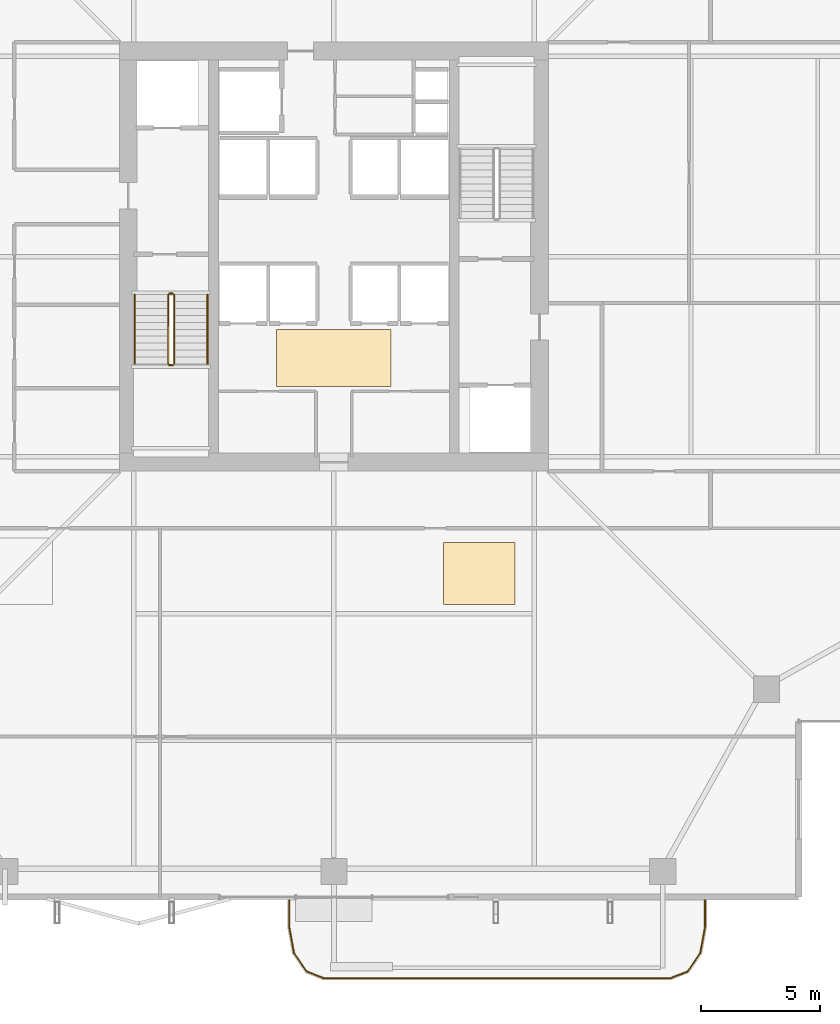
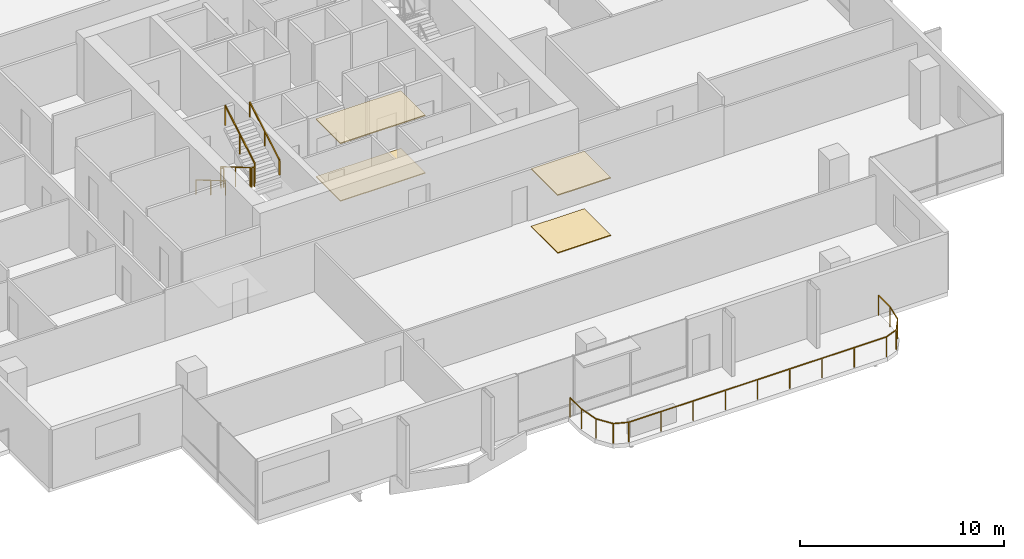
# One storey, part 27 of 29: 7 railings, 4 coverings.
"""IFC4 building model written with IfcOpenShell, lengths in metres."""

from ifc_helpers import new_model, si_unit, direction, frame, origin, origin_2d, place, context, subcontext, project, spatial, polyline, rectangle, outline, extrude, material, layer, layer_set, type_object, element, save


model = new_model("IFC4")

# Units and contexts
model_context = context("Model", 3, precision=1e-05, world=origin(), true_north=direction((0.0, 1.0)))
body_context = subcontext(model_context, "Body", "Model", "MODEL_VIEW")
ifc_project = project(units=[si_unit("LENGTHUNIT", "METRE"), si_unit("AREAUNIT", "SQUARE_METRE"), si_unit("VOLUMEUNIT", "CUBIC_METRE"), si_unit("PLANEANGLEUNIT", "RADIAN"), si_unit("MASSUNIT", "GRAM", prefix="KILO")], contexts=[model_context])

# Site, building, storey
site_placement = place(None, origin())
site = spatial("IfcSite", under=ifc_project, at=site_placement, CompositionType="ELEMENT")
building_placement = place(site_placement, origin())
building = spatial("IfcBuilding", under=site, at=building_placement, Name="Belovzor Exchange Tower", CompositionType="ELEMENT")
storey_placement = place(building_placement, frame((0.0, 0.0, 199.949951171875)))
storey = spatial("IfcBuildingStorey", under=building, at=storey_placement, Name="L49", CompositionType="ELEMENT", Elevation=199.949951171875)

# Railings
ifc_material_1 = material(Name="Stainless Steel Grade 304", Category="steel")
railing_type_1 = type_object("IfcRailingType", Name="Brushed Stainless Steel Stair Handrail 900", PredefinedType="HANDRAIL", material=ifc_material_1)
railing_1_placement = place(storey_placement, frame((20.449951171875, 27.199951171875, 0.17041015625)))
element("IfcRailing", 1, at=railing_1_placement, inside=storey, type_object=railing_type_1, Name="L49 ST-1 stair handrail 1", PredefinedType="HANDRAIL", context=body_context, shape_type="SweptSolid", body=[
    extrude(rectangle(XDim=0.048095703125, YDim=0.048095703125, at=origin_2d()), frame((0.0, 0.0, 0.8759765625), z_axis=(0.0, -0.86209462966, 0.506747323142), x_axis=(1.0, 0.0, 0.0)), (0.0, 0.0, 1.0), 3.36376953125),
    extrude(rectangle(XDim=0.0419921875, YDim=0.0419921875, at=origin_2d()), origin(), (0.0, 0.0, 1.0), 0.851806640625),
    extrude(rectangle(XDim=0.0419921875, YDim=0.0419921875, at=origin_2d()), frame((0.0, -1.449951171875, 0.852294921875)), (0.0, 0.0, 1.0), 0.851806640625),
    extrude(rectangle(XDim=0.0419921875, YDim=0.0419921875, at=origin_2d()), frame((0.0, -2.89990234375, 1.70458984375)), (0.0, 0.0, 1.0), 0.851806640625),
])
railing_2_placement = place(storey_placement, frame((23.5, 24.300048828125, 2.04541015625)))
element("IfcRailing", 2, at=railing_2_placement, inside=storey, type_object=railing_type_1, Name="L49 ST-1 stair handrail 2", PredefinedType="HANDRAIL", context=body_context, shape_type="SweptSolid", body=[
    extrude(rectangle(XDim=0.048095703125, YDim=0.048095703125, at=origin_2d()), frame((0.0, 0.0, 0.8759765625), z_axis=(0.0, 0.86209462966, 0.506747323142), x_axis=(-1.0, 0.0, 0.0)), (0.0, 0.0, 1.0), 3.36376953125),
    extrude(rectangle(XDim=0.0419921875, YDim=0.0419921875, at=origin_2d()), origin(), (0.0, 0.0, 1.0), 0.851806640625),
    extrude(rectangle(XDim=0.0419921875, YDim=0.0419921875, at=origin_2d()), frame((0.0, 1.449951171875, 0.852294921875)), (0.0, 0.0, 1.0), 0.851806640625),
    extrude(rectangle(XDim=0.0419921875, YDim=0.0419921875, at=origin_2d()), frame((0.0, 2.89990234375, 1.70458984375)), (0.0, 0.0, 1.0), 0.851806640625),
])
ifc_material_2 = material(Name="Stainless Steel and Laminated Safety Glass", Category="steel")
railing_type_2 = type_object("IfcRailingType", Name="Laminated Glass & Stainless Steel Balcony Balustrade 1200", PredefinedType="BALUSTRADE", material=ifc_material_2)
railing_3_placement = place(storey_placement, frame((26.929931640625, 1.7900390625, 0.0)))
element("IfcRailing", 3, at=railing_3_placement, inside=storey, type_object=railing_type_2, Name="GR-1 Balcony Balustrade L49 South", PredefinedType="BALUSTRADE", context=body_context, shape_type="SweptSolid", body=[
    extrude(rectangle(XDim=0.048095703125, YDim=0.048095703125, at=origin_2d()), frame((0.0, 0.0, 1.17578125), z_axis=(0.0, -1.0, 0.0), x_axis=(1.0, 0.0, 0.0)), (0.0, 0.0, 1.0), 1.133056640625),
    extrude(rectangle(XDim=0.048095703125, YDim=0.048095703125, at=origin_2d()), frame((0.0, -1.133056640625, 1.17578125), z_axis=(0.180122719713, -0.983644145941, 0.0), x_axis=(0.983644145941, 0.180122719713, 0.0)), (0.0, 0.0, 1.0), 1.09375),
    extrude(rectangle(XDim=0.048095703125, YDim=0.048095703125, at=origin_2d()), frame((0.197021484375, -2.208984375, 1.17578125), z_axis=(0.56294695933, -0.826493025367, 0.0), x_axis=(0.826493025367, 0.56294695933, 0.0)), (0.0, 0.0, 1.0), 0.932861328125),
    extrude(rectangle(XDim=0.048095703125, YDim=0.048095703125, at=origin_2d()), frame((0.72216796875, -2.97998046875, 1.17578125), z_axis=(0.930766990125, -0.365612923861, 0.0), x_axis=(0.365612923861, 0.930766990125, 0.0)), (0.0, 0.0, 1.0), 0.765869140625),
    extrude(rectangle(XDim=0.048095703125, YDim=0.048095703125, at=origin_2d()), frame((1.43505859375, -3.260009765625, 1.17578125), z_axis=(1.0, 0.0, 0.0), x_axis=(0.0, 1.0, 0.0)), (0.0, 0.0, 1.0), 14.570068359375),
    extrude(rectangle(XDim=0.048095703125, YDim=0.048095703125, at=origin_2d()), frame((16.005126953125, -3.260009765625, 1.17578125), z_axis=(0.930766990125, 0.365612923861, 0.0), x_axis=(-0.365612923861, 0.930766990125, 0.0)), (0.0, 0.0, 1.0), 0.765869140625),
    extrude(rectangle(XDim=0.048095703125, YDim=0.048095703125, at=origin_2d()), frame((16.718017578125, -2.97998046875, 1.17578125), z_axis=(0.56294695933, 0.826493025367, 0.0), x_axis=(-0.826493025367, 0.56294695933, 0.0)), (0.0, 0.0, 1.0), 0.932861328125),
    extrude(rectangle(XDim=0.048095703125, YDim=0.048095703125, at=origin_2d()), frame((17.2431640625, -2.208984375, 1.17578125), z_axis=(0.180122719713, 0.983644145941, 0.0), x_axis=(-0.983644145941, 0.180122719713, 0.0)), (0.0, 0.0, 1.0), 1.09375),
    extrude(rectangle(XDim=0.048095703125, YDim=0.048095703125, at=origin_2d()), frame((17.440185546875, -1.133056640625, 1.17578125), z_axis=(0.0, 1.0, 0.0), x_axis=(-1.0, 0.0, 0.0)), (0.0, 0.0, 1.0), 1.133056640625),
    extrude(rectangle(XDim=0.0419921875, YDim=0.0419921875, at=origin_2d()), origin(), (0.0, 0.0, 1.0), 1.15185546875),
    extrude(rectangle(XDim=0.0419921875, YDim=0.0419921875, at=origin_2d()), frame((0.0, -1.133056640625, 0.0)), (0.0, 0.0, 1.0), 1.15185546875),
    extrude(rectangle(XDim=0.0419921875, YDim=0.0419921875, at=origin_2d()), frame((0.197021484375, -2.208984375, 0.0)), (0.0, 0.0, 1.0), 1.15185546875),
    extrude(rectangle(XDim=0.0419921875, YDim=0.0419921875, at=origin_2d()), frame((0.72216796875, -2.97998046875, 0.0)), (0.0, 0.0, 1.0), 1.15185546875),
    extrude(rectangle(XDim=0.0419921875, YDim=0.0419921875, at=origin_2d()), frame((1.43505859375, -3.260009765625, 0.0)), (0.0, 0.0, 1.0), 1.15185546875),
    extrude(rectangle(XDim=0.0419921875, YDim=0.0419921875, at=origin_2d()), frame((3.25634765625, -3.260009765625, 0.0)), (0.0, 0.0, 1.0), 1.15185546875),
    extrude(rectangle(XDim=0.0419921875, YDim=0.0419921875, at=origin_2d()), frame((5.07763671875, -3.260009765625, 0.0)), (0.0, 0.0, 1.0), 1.15185546875),
    extrude(rectangle(XDim=0.0419921875, YDim=0.0419921875, at=origin_2d()), frame((6.89892578125, -3.260009765625, 0.0)), (0.0, 0.0, 1.0), 1.15185546875),
    extrude(rectangle(XDim=0.0419921875, YDim=0.0419921875, at=origin_2d()), frame((8.72021484375, -3.260009765625, 0.0)), (0.0, 0.0, 1.0), 1.15185546875),
    extrude(rectangle(XDim=0.0419921875, YDim=0.0419921875, at=origin_2d()), frame((10.541259765625, -3.260009765625, 0.0)), (0.0, 0.0, 1.0), 1.15185546875),
    extrude(rectangle(XDim=0.0419921875, YDim=0.0419921875, at=origin_2d()), frame((12.362548828125, -3.260009765625, 0.0)), (0.0, 0.0, 1.0), 1.15185546875),
    extrude(rectangle(XDim=0.0419921875, YDim=0.0419921875, at=origin_2d()), frame((14.183837890625, -3.260009765625, 0.0)), (0.0, 0.0, 1.0), 1.15185546875),
    extrude(rectangle(XDim=0.0419921875, YDim=0.0419921875, at=origin_2d()), frame((16.005126953125, -3.260009765625, 0.0)), (0.0, 0.0, 1.0), 1.15185546875),
    extrude(rectangle(XDim=0.0419921875, YDim=0.0419921875, at=origin_2d()), frame((16.718017578125, -2.97998046875, 0.0)), (0.0, 0.0, 1.0), 1.15185546875),
    extrude(rectangle(XDim=0.0419921875, YDim=0.0419921875, at=origin_2d()), frame((17.2431640625, -2.208984375, 0.0)), (0.0, 0.0, 1.0), 1.15185546875),
    extrude(rectangle(XDim=0.0419921875, YDim=0.0419921875, at=origin_2d()), frame((17.440185546875, -1.133056640625, 0.0)), (0.0, 0.0, 1.0), 1.15185546875),
    extrude(rectangle(XDim=0.0419921875, YDim=0.0419921875, at=origin_2d()), frame((17.440185546875, 0.0, 0.0)), (0.0, 0.0, 1.0), 1.15185546875),
])
ifc_material_3 = material(Name="Steel S355", Category="steel")
railing_type_3 = type_object("IfcRailingType", Name="Painted Steel Stairwell Guardrail 1200", PredefinedType="GUARDRAIL", material=ifc_material_3)
railing_4_placement = place(storey_placement, frame((21.85009765625, 27.199951171875, 0.17041015625)))
element("IfcRailing", 4, at=railing_4_placement, inside=storey, type_object=railing_type_3, Name="L49 ST-1 stair guard 1", PredefinedType="GUARDRAIL", context=body_context, shape_type="SweptSolid", body=[
    extrude(rectangle(XDim=0.048095703125, YDim=0.048095703125, at=origin_2d()), frame((0.0, 0.0, 1.17578125), z_axis=(0.0, -0.86209462966, 0.506747323142), x_axis=(1.0, 0.0, 0.0)), (0.0, 0.0, 1.0), 3.36376953125),
    extrude(rectangle(XDim=0.0419921875, YDim=0.0419921875, at=origin_2d()), origin(), (0.0, 0.0, 1.0), 1.15185546875),
    extrude(rectangle(XDim=0.0419921875, YDim=0.0419921875, at=origin_2d()), frame((0.0, -1.449951171875, 0.852294921875)), (0.0, 0.0, 1.0), 1.15185546875),
    extrude(rectangle(XDim=0.0419921875, YDim=0.0419921875, at=origin_2d()), frame((0.0, -2.89990234375, 1.70458984375)), (0.0, 0.0, 1.0), 1.15185546875),
])
railing_5_placement = place(storey_placement, frame((21.89990234375, 24.25, 1.875)))
element("IfcRailing", 5, at=railing_5_placement, inside=storey, type_object=railing_type_3, Name="L49 ST-1 stair guard 2", PredefinedType="GUARDRAIL", context=body_context, shape_type="SweptSolid", body=[
    extrude(rectangle(XDim=0.048095703125, YDim=0.048095703125, at=origin_2d()), frame((0.0, 0.0, 1.17578125), z_axis=(1.0, 0.0, 0.0), x_axis=(0.0, 1.0, 0.0)), (0.0, 0.0, 1.0), 0.150146484375),
    extrude(rectangle(XDim=0.0419921875, YDim=0.0419921875, at=origin_2d()), origin(), (0.0, 0.0, 1.0), 1.15185546875),
    extrude(rectangle(XDim=0.0419921875, YDim=0.0419921875, at=origin_2d()), frame((0.150146484375, 0.0, 0.0)), (0.0, 0.0, 1.0), 1.15185546875),
])
railing_6_placement = place(storey_placement, frame((22.10009765625, 24.300048828125, 2.04541015625)))
element("IfcRailing", 6, at=railing_6_placement, inside=storey, type_object=railing_type_3, Name="L49 ST-1 stair guard 3", PredefinedType="GUARDRAIL", context=body_context, shape_type="SweptSolid", body=[
    extrude(rectangle(XDim=0.048095703125, YDim=0.048095703125, at=origin_2d()), frame((0.0, 0.0, 1.17578125), z_axis=(0.0, 0.86209462966, 0.506747323142), x_axis=(-1.0, 0.0, 0.0)), (0.0, 0.0, 1.0), 3.36376953125),
    extrude(rectangle(XDim=0.0419921875, YDim=0.0419921875, at=origin_2d()), origin(), (0.0, 0.0, 1.0), 1.15185546875),
    extrude(rectangle(XDim=0.0419921875, YDim=0.0419921875, at=origin_2d()), frame((0.0, 1.449951171875, 0.852294921875)), (0.0, 0.0, 1.0), 1.15185546875),
    extrude(rectangle(XDim=0.0419921875, YDim=0.0419921875, at=origin_2d()), frame((0.0, 2.89990234375, 1.70458984375)), (0.0, 0.0, 1.0), 1.15185546875),
])
railing_7_placement = place(storey_placement, frame((21.89990234375, 27.25, 0.0)))
element("IfcRailing", 7, at=railing_7_placement, inside=storey, type_object=railing_type_3, Name="L49 ST-1 stair guard 4", PredefinedType="GUARDRAIL", context=body_context, shape_type="SweptSolid", body=[
    extrude(rectangle(XDim=0.048095703125, YDim=0.048095703125, at=origin_2d()), frame((0.0, 0.0, 1.17578125), z_axis=(1.0, 0.0, 0.0), x_axis=(0.0, 1.0, 0.0)), (0.0, 0.0, 1.0), 0.150146484375),
    extrude(rectangle(XDim=0.0419921875, YDim=0.0419921875, at=origin_2d()), origin(), (0.0, 0.0, 1.0), 1.15185546875),
    extrude(rectangle(XDim=0.0419921875, YDim=0.0419921875, at=origin_2d()), frame((0.150146484375, 0.0, 0.0)), (0.0, 0.0, 1.0), 1.15185546875),
])

# Coverings
ifc_material_4 = material(Name="Perforated Powder-Coated Aluminium", Category="aluminium")
ifc_layer_1 = layer(ifc_material_4, 0.06005859375)
ifc_layer_set_1 = layer_set([ifc_layer_1], Name="Perforated Powder-Coated Aluminium")
covering_type_1 = type_object("IfcCoveringType", Name="Perforated Acoustic Metal Tile Suspended Ceiling 60", PredefinedType="CEILING", material=ifc_layer_set_1)
covering_1_placement = place(storey_placement, frame((0.0, 0.0, 3.43994140625)))
element("IfcCovering", 8, at=covering_1_placement, inside=storey, type_object=covering_type_1, Name="CLG-AC60 Suspended Ceiling CLG-L49-LOB", PredefinedType="CEILING", context=body_context, shape_type="SweptSolid", body=[
    extrude(outline(polyline([(26.39990234375, 23.35009765625), (31.199951171875, 23.35009765625), (31.199951171875, 25.75), (26.39990234375, 25.75), (26.39990234375, 23.35009765625)])), origin(), (0.0, 0.0, 1.0), 0.06005859375),
])
covering_2_placement = place(storey_placement, frame((0.0, 0.0, 3.43994140625)))
element("IfcCovering", 9, at=covering_2_placement, inside=storey, type_object=covering_type_1, Name="CLG-AC60 Suspended Ceiling CLG-L49-Z1", PredefinedType="CEILING", context=body_context, shape_type="SweptSolid", body=[
    extrude(outline(polyline([(33.39990234375, 14.199951171875), (36.39990234375, 14.199951171875), (36.39990234375, 16.800048828125), (33.39990234375, 16.800048828125), (33.39990234375, 14.199951171875)])), origin(), (0.0, 0.0, 1.0), 0.06005859375),
])
ifc_material_5 = material(Name="Polished Natural Granite Tile", Category="masonry")
ifc_layer_2 = layer(ifc_material_5, 0.050048828125)
ifc_layer_set_2 = layer_set([ifc_layer_2], Name="Polished Natural Granite Tile")
covering_type_2 = type_object("IfcCoveringType", Name="Polished Karelian Granite & Raised Access Floor Finish 50", PredefinedType="FLOORING", material=ifc_layer_set_2)
covering_3_placement = place(storey_placement, origin())
element("IfcCovering", 10, at=covering_3_placement, inside=storey, type_object=covering_type_2, Name="FLR-GR50 Floor Finish FLR-L49-LOB", PredefinedType="FLOORING", context=body_context, shape_type="SweptSolid", body=[
    extrude(outline(polyline([(26.39990234375, 23.35009765625), (31.199951171875, 23.35009765625), (31.199951171875, 25.75), (26.39990234375, 25.75), (26.39990234375, 23.35009765625)])), origin(), (0.0, 0.0, 1.0), 0.050048828125),
])
covering_4_placement = place(storey_placement, origin())
element("IfcCovering", 11, at=covering_4_placement, inside=storey, type_object=covering_type_2, Name="FLR-GR50 Floor Finish FLR-L49-Z1", PredefinedType="FLOORING", context=body_context, shape_type="SweptSolid", body=[
    extrude(outline(polyline([(33.39990234375, 14.199951171875), (36.39990234375, 14.199951171875), (36.39990234375, 16.800048828125), (33.39990234375, 16.800048828125), (33.39990234375, 14.199951171875)])), origin(), (0.0, 0.0, 1.0), 0.050048828125),
])

save(model, "model.ifc")
